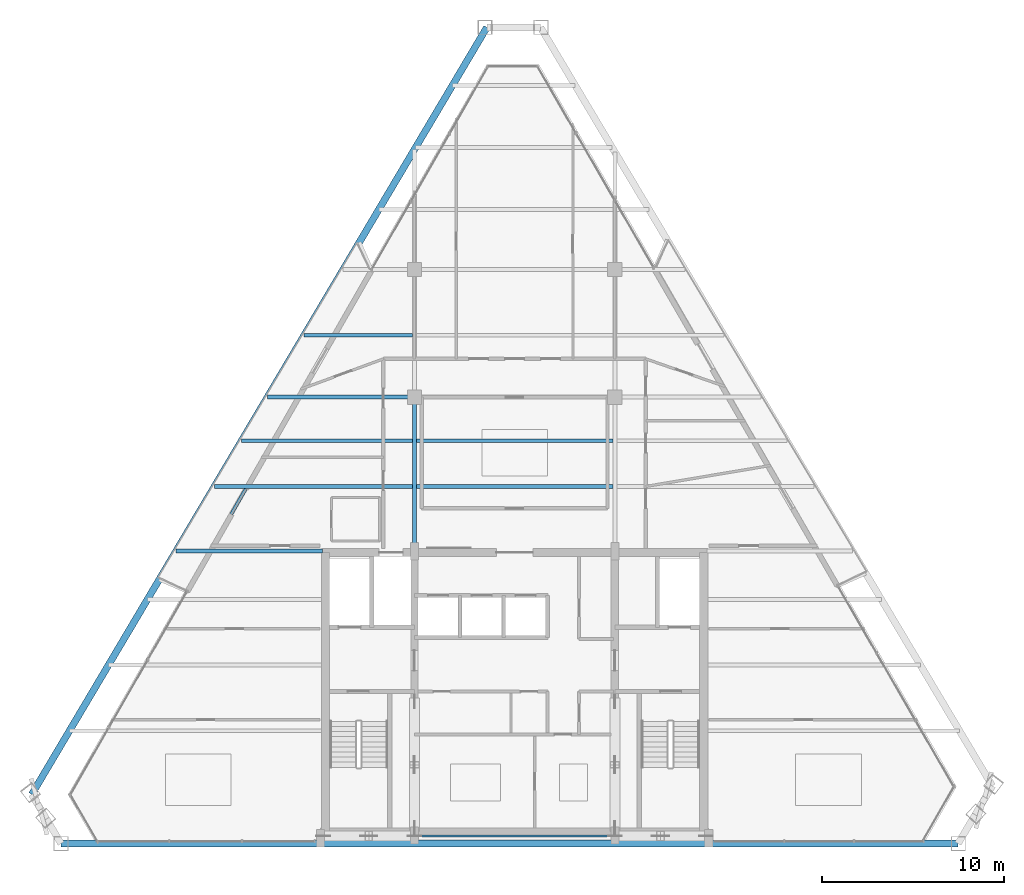
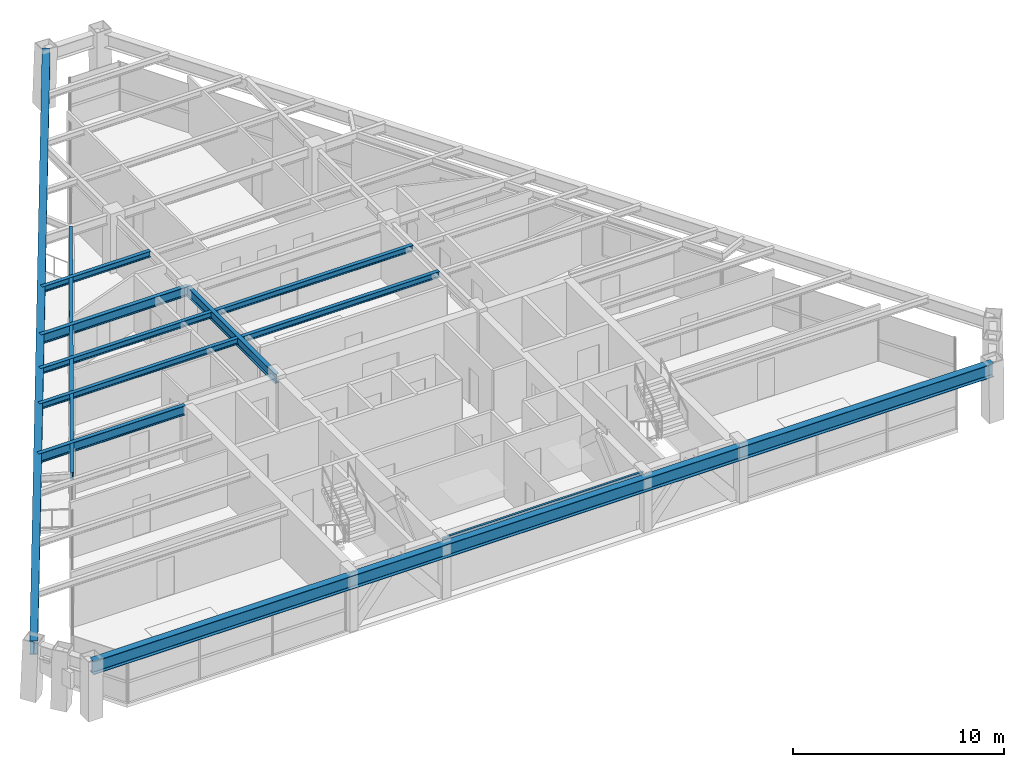
# One storey, part 3 of 13: 12 beams.
"""IFC4 building model written with IfcOpenShell, lengths in metres."""

from ifc_helpers import new_model, si_unit, direction, frame, origin, origin_2d, place, context, subcontext, project, spatial, i_section, extrude, source, transform, mapped, material, material_profile, profile_set, type_object, type_shapes, element, save


model = new_model("IFC4")

# Units and contexts
model_context = context("Model", 3, precision=1e-05, world=origin(), true_north=direction((0.0, 1.0)))
body_context = subcontext(model_context, "Body", "Model", "MODEL_VIEW")
ifc_project = project(units=[si_unit("LENGTHUNIT", "METRE"), si_unit("AREAUNIT", "SQUARE_METRE"), si_unit("VOLUMEUNIT", "CUBIC_METRE"), si_unit("PLANEANGLEUNIT", "RADIAN"), si_unit("MASSUNIT", "GRAM", prefix="KILO")], contexts=[model_context])

# Site, building, storey
site_placement = place(None, origin())
site = spatial("IfcSite", under=ifc_project, at=site_placement, CompositionType="ELEMENT")
building_placement = place(site_placement, origin())
building = spatial("IfcBuilding", under=site, at=building_placement, Name="Varnakhor Terracotta Tower", CompositionType="ELEMENT")
storey_placement = place(building_placement, frame((0.0, 0.0, 293.699951171875)))
storey = spatial("IfcBuildingStorey", under=building, at=storey_placement, Name="L77", CompositionType="ELEMENT", Elevation=293.699951171875)

# Beams
ifc_material = material(Name="Steel S355", Category="steel")
ifc_material_profile_1 = material_profile(ifc_material, i_section(OverallWidth=0.1201171875, OverallDepth=0.239990234375, WebThickness=0.006103515625, FlangeThickness=0.009765625, FilletRadius=0.01806640625, at=origin_2d()), Name="IPE240")
ifc_profile_set_1 = profile_set([ifc_material_profile_1], Name="Steel S355")
beam_type_1 = type_object("IfcBeamType", Name="LNT-IPE240", PredefinedType="LINTEL", material=ifc_profile_set_1)
shared_shape_1 = source(origin(), body_context, "Body", "SweptSolid", [
    extrude(i_section(OverallWidth=0.1201171875, OverallDepth=0.239990234375, WebThickness=0.006103515625, FlangeThickness=0.009765625, FilletRadius=0.01806640625, at=origin_2d()), origin(), (0.0, 0.0, 1.0), 11.0),
])
type_shapes(beam_type_1, [shared_shape_1])
beam_1_placement = place(storey_placement, frame((-5.5, 0.419921875, 3.1201171875), z_axis=(1.0, 0.0, 0.0), x_axis=(0.0, 1.0, 0.0)))
element("IfcBeam", 1, at=beam_1_placement, inside=storey, type_object=beam_type_1, Name="L77 Core South Coupling Lintel", PredefinedType="LINTEL", context=body_context, shape_type="MappedRepresentation", body=[
    mapped(shared_shape_1, transform((0.0, 0.0, 0.0), scale=1.0)),
])
ifc_material_profile_2 = material_profile(ifc_material, i_section(OverallWidth=0.214111328125, OverallDepth=0.549072265625, WebThickness=0.014892578125, FlangeThickness=0.02392578125, FilletRadius=0.01806640625, at=origin_2d()), Name="W21X93")
ifc_profile_set_2 = profile_set([ifc_material_profile_2], Name="Steel S355")
beam_type_2 = type_object("IfcBeamType", Name="BM-W21X93", PredefinedType="BEAM", material=ifc_profile_set_2)
shared_shape_2 = source(origin(), body_context, "Body", "SweptSolid", [
    extrude(i_section(OverallWidth=0.214111328125, OverallDepth=0.549072265625, WebThickness=0.014892578125, FlangeThickness=0.02392578125, FilletRadius=0.01806640625, at=origin_2d()), origin(), (0.0, 0.0, 1.0), 8.449951171875),
])
type_shapes(beam_type_2, [shared_shape_2])
beam_2_placement = place(storey_placement, frame((-5.5, 16.050048828125, 2.965576171875), z_axis=(0.0, 1.0, 0.0), x_axis=(-1.0, 0.0, 0.0)))
element("IfcBeam", 2, at=beam_2_placement, inside=storey, type_object=beam_type_2, Name="L77 Primary Girder NS1-W", PredefinedType="BEAM", context=body_context, shape_type="MappedRepresentation", body=[
    mapped(shared_shape_2, transform((0.0, 0.0, 0.0), scale=1.0)),
])
ifc_material_profile_3 = material_profile(ifc_material, i_section(OverallWidth=0.202880859375, OverallDepth=0.346923828125, WebThickness=0.0078125, FlangeThickness=0.013427734375, FilletRadius=0.01806640625, at=origin_2d()), Name="W14X43")
ifc_profile_set_3 = profile_set([ifc_material_profile_3], Name="Steel S355")
beam_type_3 = type_object("IfcBeamType", Name="JST-W14X43", PredefinedType="JOIST", material=ifc_profile_set_3)
shared_shape_3 = source(origin(), body_context, "Body", "SweptSolid", [
    extrude(i_section(OverallWidth=0.202880859375, OverallDepth=0.346923828125, WebThickness=0.0078125, FlangeThickness=0.013427734375, FilletRadius=0.01806640625, at=origin_2d()), origin(), (0.0, 0.0, 1.0), 10.7939453125),
])
for number, where, z_axis, x_axis, name in (
    (3, (-5.39697265625, 19.60009765625, 3.066650390625), (1.0, 0.0, 0.0), (0.0, 1.0, 0.0), "L77 Composite Floor Joist 4-2"),
    (4, (-5.39697265625, 22.10009765625, 3.066650390625), (1.0, 0.0, 0.0), (0.0, 1.0, 0.0), "L77 Composite Floor Joist 5-2"),
):
    element("IfcBeam", number, at=place(storey_placement, frame(where, z_axis=z_axis, x_axis=x_axis)), inside=storey, type_object=beam_type_3, Name=name, PredefinedType="JOIST", context=body_context, shape_type="MappedRepresentation", body=[
        mapped(shared_shape_3, transform((0.0, 0.0, 0.0), scale=1.0)),
    ])
ifc_material_profile_4 = material_profile(ifc_material, i_section(OverallWidth=0.381103515625, OverallDepth=0.77294921875, WebThickness=0.01708984375, FlangeThickness=0.027099609375, FilletRadius=0.01806640625, at=origin_2d()), Name="W30X173")
ifc_profile_set_4 = profile_set([ifc_material_profile_4], Name="Steel S355")
beam_type_4 = type_object("IfcBeamType", Name="BM-W30X173", PredefinedType="BEAM", material=ifc_profile_set_4)
shared_shape_4 = source(origin(), body_context, "Body", "SweptSolid", [
    extrude(i_section(OverallWidth=0.381103515625, OverallDepth=0.77294921875, WebThickness=0.01708984375, FlangeThickness=0.027099609375, FilletRadius=0.01806640625, at=origin_2d()), origin(), (0.0, 0.0, 1.0), 49.22119140625),
])
beam_3_placement = place(storey_placement, frame((-24.8876953125, 0.0, 2.853515625), z_axis=(1.0, 0.0, 0.0), x_axis=(0.0, 1.0, 0.0)))
element("IfcBeam", 5, at=beam_3_placement, inside=storey, type_object=beam_type_4, Name="L77 Perimeter Spandrel 1", PredefinedType="BEAM", context=body_context, shape_type="MappedRepresentation", body=[
    mapped(shared_shape_4, transform((0.0, 0.0, 0.0), scale=1.0)),
])
shared_shape_5 = source(origin(), body_context, "Body", "SweptSolid", [
    extrude(i_section(OverallWidth=0.381103515625, OverallDepth=0.77294921875, WebThickness=0.01708984375, FlangeThickness=0.027099609375, FilletRadius=0.01806640625, at=origin_2d()), origin(), (0.0, 0.0, 1.0), 48.9423828125),
])
beam_4_placement = place(storey_placement, frame((-1.521484375, 44.793212890625, 2.853515625), z_axis=(-0.510315605775, -0.859987199034, 0.0), x_axis=(0.859987199034, -0.510315605775, 0.0)))
element("IfcBeam", 6, at=beam_4_placement, inside=storey, type_object=beam_type_4, Name="L77 Perimeter Spandrel 6", PredefinedType="BEAM", context=body_context, shape_type="MappedRepresentation", body=[
    mapped(shared_shape_5, transform((0.0, 0.0, 0.0), scale=1.0)),
])
ifc_material_profile_5 = material_profile(ifc_material, i_section(OverallWidth=0.179931640625, OverallDepth=0.39990234375, WebThickness=0.008544921875, FlangeThickness=0.013427734375, FilletRadius=0.01806640625, at=origin_2d()), Name="IPE400")
ifc_profile_set_5 = profile_set([ifc_material_profile_5], Name="Steel S355")
beam_type_5 = type_object("IfcBeamType", Name="JST-IPE400", PredefinedType="JOIST", material=ifc_profile_set_5)
shared_shape_6 = source(origin(), body_context, "Body", "SweptSolid", [
    extrude(i_section(OverallWidth=0.179931640625, OverallDepth=0.39990234375, WebThickness=0.008544921875, FlangeThickness=0.013427734375, FilletRadius=0.01806640625, at=origin_2d()), origin(), (0.0, 0.0, 1.0), 20.372802734375),
])
beam_5_placement = place(storey_placement, frame((-7.850830078125, 31.506591796875, 3.0400390625), z_axis=(-0.497115564006, -0.867684341234, 0.0), x_axis=(0.867684341234, -0.497115564006, 0.0)))
element("IfcBeam", 7, at=beam_5_placement, inside=storey, type_object=beam_type_5, Name="L77 Loggia Edge Beam 2", PredefinedType="JOIST", context=body_context, shape_type="MappedRepresentation", body=[
    mapped(shared_shape_6, transform((0.0, 0.0, 0.0), scale=1.0)),
])
shared_shape_7 = source(origin(), body_context, "Body", "SweptSolid", [
    extrude(i_section(OverallWidth=0.214111328125, OverallDepth=0.549072265625, WebThickness=0.014892578125, FlangeThickness=0.02392578125, FilletRadius=0.01806640625, at=origin_2d()), origin(), (0.0, 0.0, 1.0), 8.027587890625),
])
beam_6_placement = place(storey_placement, frame((-18.57763671875, 16.050048828125, 2.965576171875), z_axis=(1.0, 0.0, 0.0), x_axis=(0.0, 1.0, 0.0)))
element("IfcBeam", 8, at=beam_6_placement, inside=storey, type_object=beam_type_2, Name="L77 Wing Girder W", PredefinedType="BEAM", context=body_context, shape_type="MappedRepresentation", body=[
    mapped(shared_shape_7, transform((0.0, 0.0, 0.0), scale=1.0)),
])
shared_shape_8 = source(origin(), body_context, "Body", "SweptSolid", [
    extrude(i_section(OverallWidth=0.214111328125, OverallDepth=0.549072265625, WebThickness=0.014892578125, FlangeThickness=0.02392578125, FilletRadius=0.01806640625, at=origin_2d()), origin(), (0.0, 0.0, 1.0), 8.0634765625),
])
beam_7_placement = place(storey_placement, frame((-13.5634765625, 24.5, 2.965576171875), z_axis=(1.0, 0.0, 0.0), x_axis=(0.0, 1.0, 0.0)))
element("IfcBeam", 9, at=beam_7_placement, inside=storey, type_object=beam_type_2, Name="L77 Primary Girder EW2-1", PredefinedType="BEAM", context=body_context, shape_type="MappedRepresentation", body=[
    mapped(shared_shape_8, transform((0.0, 0.0, 0.0), scale=1.0)),
])
shared_shape_9 = source(origin(), body_context, "Body", "SweptSolid", [
    extrude(i_section(OverallWidth=0.202880859375, OverallDepth=0.346923828125, WebThickness=0.0078125, FlangeThickness=0.013427734375, FilletRadius=0.01806640625, at=origin_2d()), origin(), (0.0, 0.0, 1.0), 10.8681640625),
])
beam_8_placement = place(storey_placement, frame((-16.47119140625, 19.60009765625, 3.066650390625), z_axis=(1.0, 0.0, 0.0), x_axis=(0.0, 1.0, 0.0)))
element("IfcBeam", 10, at=beam_8_placement, inside=storey, type_object=beam_type_3, Name="L77 Composite Floor Joist 4-1", PredefinedType="JOIST", context=body_context, shape_type="MappedRepresentation", body=[
    mapped(shared_shape_9, transform((0.0, 0.0, 0.0), scale=1.0)),
])
shared_shape_10 = source(origin(), body_context, "Body", "SweptSolid", [
    extrude(i_section(OverallWidth=0.202880859375, OverallDepth=0.346923828125, WebThickness=0.0078125, FlangeThickness=0.013427734375, FilletRadius=0.01806640625, at=origin_2d()), origin(), (0.0, 0.0, 1.0), 9.384521484375),
])
beam_9_placement = place(storey_placement, frame((-14.987548828125, 22.10009765625, 3.066650390625), z_axis=(1.0, 0.0, 0.0), x_axis=(0.0, 1.0, 0.0)))
element("IfcBeam", 11, at=beam_9_placement, inside=storey, type_object=beam_type_3, Name="L77 Composite Floor Joist 5-1", PredefinedType="JOIST", context=body_context, shape_type="MappedRepresentation", body=[
    mapped(shared_shape_10, transform((0.0, 0.0, 0.0), scale=1.0)),
])
shared_shape_11 = source(origin(), body_context, "Body", "SweptSolid", [
    extrude(i_section(OverallWidth=0.202880859375, OverallDepth=0.346923828125, WebThickness=0.0078125, FlangeThickness=0.013427734375, FilletRadius=0.01806640625, at=origin_2d()), origin(), (0.0, 0.0, 1.0), 5.94287109375),
])
beam_10_placement = place(storey_placement, frame((-11.5458984375, 27.89990234375, 3.066650390625), z_axis=(1.0, 0.0, 0.0), x_axis=(0.0, 1.0, 0.0)))
element("IfcBeam", 12, at=beam_10_placement, inside=storey, type_object=beam_type_3, Name="L77 Composite Floor Joist 6-1", PredefinedType="JOIST", context=body_context, shape_type="MappedRepresentation", body=[
    mapped(shared_shape_11, transform((0.0, 0.0, 0.0), scale=1.0)),
])

save(model, "model.ifc")
